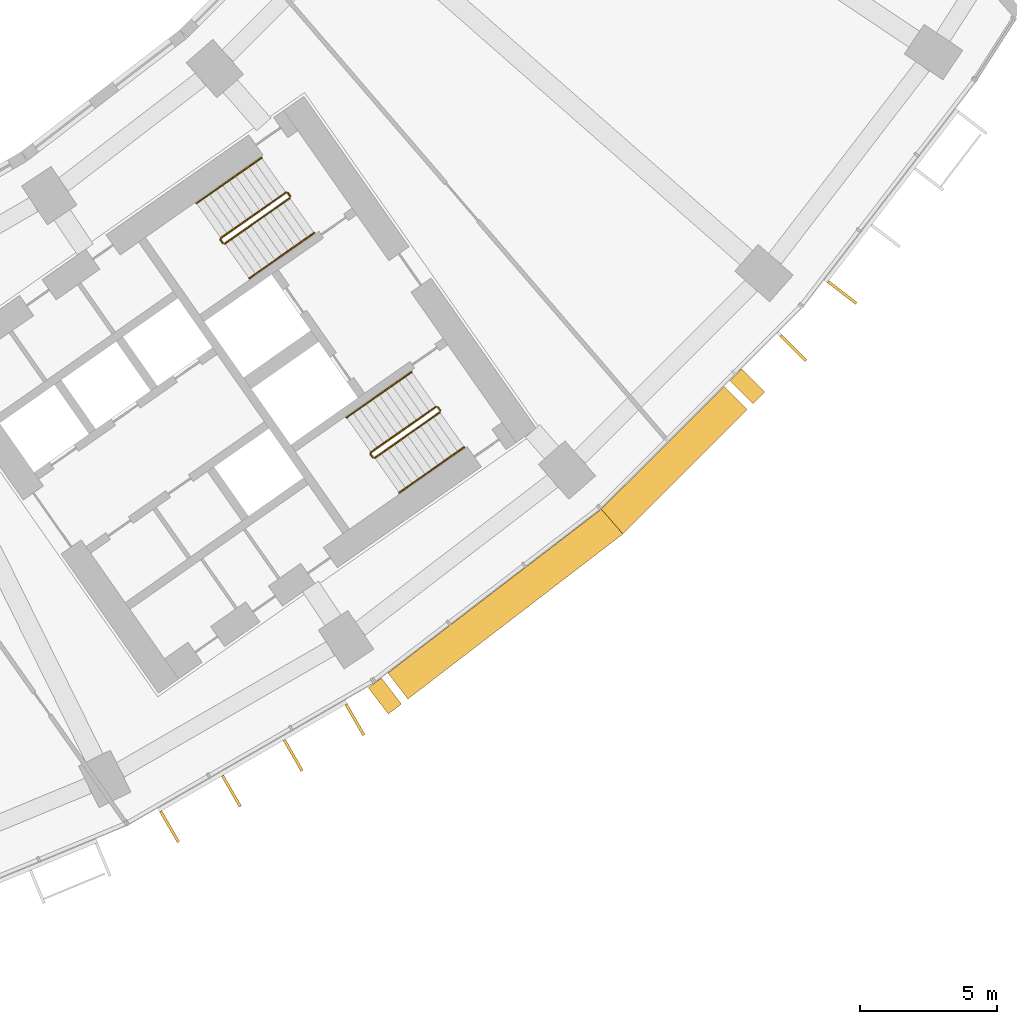
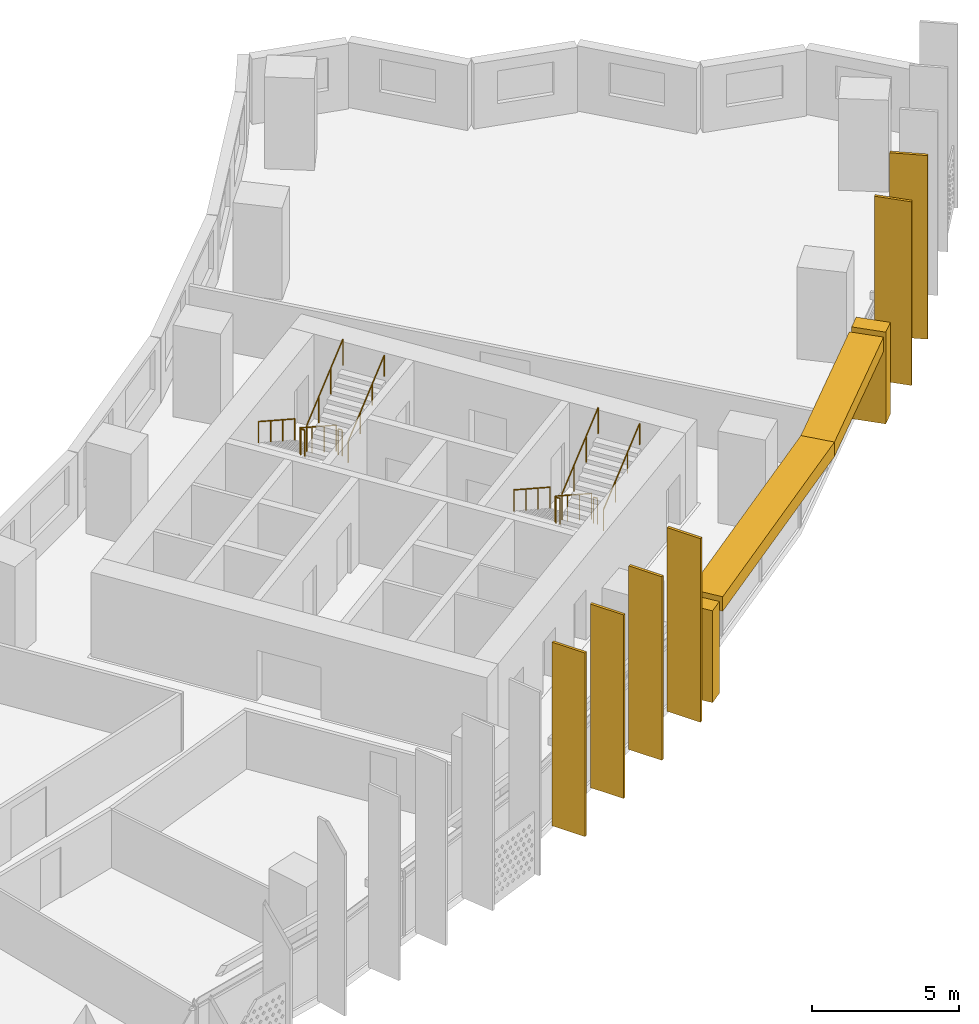
# One storey, part 31 of 32: 10 railings, 10 shading devices.
"""IFC4 building model written with IfcOpenShell, lengths in metres."""

from ifc_helpers import new_model, si_unit, direction, frame, origin, origin_2d, place, context, subcontext, project, spatial, polyline, rectangle, circle, outline, extrude, material, material_profile, profile_set, type_object, element, save


model = new_model("IFC4")

# Units and contexts
model_context = context("Model", 3, precision=1e-05, world=origin(), true_north=direction((0.0, 1.0)))
body_context = subcontext(model_context, "Body", "Model", "MODEL_VIEW")
ifc_project = project(units=[si_unit("LENGTHUNIT", "METRE"), si_unit("AREAUNIT", "SQUARE_METRE"), si_unit("VOLUMEUNIT", "CUBIC_METRE"), si_unit("PLANEANGLEUNIT", "RADIAN"), si_unit("MASSUNIT", "GRAM", prefix="KILO")], contexts=[model_context])

# Site, building, storey
site_placement = place(None, origin())
site = spatial("IfcSite", under=ifc_project, at=site_placement, CompositionType="ELEMENT")
building_placement = place(site_placement, origin())
building = spatial("IfcBuilding", under=site, at=building_placement, Name="Qamariyya Broadcast Tower", CompositionType="ELEMENT")
storey_placement = place(building_placement, frame((0.0, 0.0, 70.89990234375)))
storey = spatial("IfcBuildingStorey", under=building, at=storey_placement, Name="L14", CompositionType="ELEMENT", Elevation=70.89990234375)

# Shading devices
ifc_material_1 = material(Name="Steel S355 powder coated deep red", Category="steel")
shading_device_type_1 = type_object("IfcShadingDeviceType", Name="Deep red frame, powder coated steel box section", PredefinedType="USERDEFINED", material=ifc_material_1)
shading_device_1_placement = place(storey_placement, origin())
element("IfcShadingDevice", 1, at=shading_device_1_placement, inside=storey, type_object=shading_device_type_1, Name="e-frm-B1-F5-posta-L14", ObjectType="FRAME", PredefinedType="USERDEFINED", context=body_context, shape_type="SweptSolid", body=[
    extrude(outline(polyline([(44.01318359375, -66.4091796875), (44.74365234375, -67.361328125), (45.2197265625, -66.995849609375), (44.4892578125, -66.0439453125), (44.01318359375, -66.4091796875)])), origin(), (0.0, 0.0, 1.0), 3.800048828125),
])
shading_device_2_placement = place(storey_placement, origin())
element("IfcShadingDevice", 2, at=shading_device_2_placement, inside=storey, type_object=shading_device_type_1, Name="e-frm-B1-F5-postb-L14", ObjectType="FRAME", PredefinedType="USERDEFINED", context=body_context, shape_type="SweptSolid", body=[
    extrude(outline(polyline([(57.21630859375, -55.184814453125), (58.064697265625, -56.033203125), (58.489013671875, -55.60888671875), (57.640380859375, -54.760498046875), (57.21630859375, -55.184814453125)])), origin(), (0.0, 0.0, 1.0), 3.800048828125),
])
shading_device_3_placement = place(storey_placement, frame((0.0, 0.0, 3.2001953125)))
element("IfcShadingDevice", 3, at=shading_device_3_placement, inside=storey, type_object=shading_device_type_1, Name="e-frm-B1-F5-top0", ObjectType="FRAME", PredefinedType="USERDEFINED", context=body_context, shape_type="SweptSolid", body=[
    extrude(outline(polyline([(44.727294921875, -65.861328125), (45.457763671875, -66.813232421875), (53.309814453125, -60.7880859375), (52.516845703125, -59.884033203125), (44.727294921875, -65.861328125)])), origin(), (0.0, 0.0, 1.0), 0.599853515625),
])
shading_device_4_placement = place(storey_placement, frame((0.0, 0.0, 3.2001953125)))
element("IfcShadingDevice", 4, at=shading_device_4_placement, inside=storey, type_object=shading_device_type_1, Name="e-frm-B1-F5-top1", ObjectType="FRAME", PredefinedType="USERDEFINED", context=body_context, shape_type="SweptSolid", body=[
    extrude(outline(polyline([(52.516845703125, -59.884033203125), (53.309814453125, -60.7880859375), (57.8525390625, -56.245361328125), (57.004150390625, -55.39697265625), (52.516845703125, -59.884033203125)])), origin(), (0.0, 0.0, 1.0), 0.599853515625),
])

# Railings
ifc_material_2 = material(Name="Painted steel", Category="steel")
railing_type_1 = type_object("IfcRailingType", Name="Stair guard", PredefinedType="GUARDRAIL", material=ifc_material_2)
railing_1_placement = place(storey_placement, frame((41.003173828125, -48.320068359375, 0.1728515625)))
element("IfcRailing", 5, at=railing_1_placement, inside=storey, type_object=railing_type_1, Name="L14 ST-E2 stair guard 1", PredefinedType="GUARDRAIL", context=body_context, shape_type="SweptSolid", body=[
    extrude(circle(Radius=0.02392578125, at=origin_2d()), frame((0.0, 0.0, 1.076171875), z_axis=(-0.703770094002, -0.492783725636, 0.511734163933), x_axis=(0.573575343427, -0.819152809562, 0.0)), (0.0, 0.0, 1.0), 3.37548828125),
    extrude(circle(Radius=0.02392578125, at=origin_2d()), frame((-2.37548828125, -1.663330078125, 2.80322265625), z_axis=(-0.172799478008, -0.984957024646, 0.0), x_axis=(0.984957024646, -0.172799478008, 0.0)), (0.0, 0.0, 1.0), 0.070556640625),
    extrude(circle(Radius=0.02392578125, at=origin_2d()), frame((-2.3876953125, -1.73291015625, 2.80322265625), z_axis=(0.572588637393, -0.819842821722, 0.0), x_axis=(0.819842821722, 0.572588637393, 0.0)), (0.0, 0.0, 1.0), 0.150146484375),
    extrude(circle(Radius=0.02099609375, at=origin_2d()), origin(), (0.0, 0.0, 1.0), 1.052001953125),
    extrude(circle(Radius=0.02099609375, at=origin_2d()), frame((-0.791748046875, -0.554443359375, 0.57568359375)), (0.0, 0.0, 1.0), 1.052001953125),
    extrude(circle(Radius=0.02099609375, at=origin_2d()), frame((-1.583740234375, -1.10888671875, 1.151611328125)), (0.0, 0.0, 1.0), 1.052001953125),
    extrude(circle(Radius=0.02099609375, at=origin_2d()), frame((-2.37548828125, -1.663330078125, 1.727294921875)), (0.0, 0.0, 1.0), 1.052001953125),
    extrude(circle(Radius=0.02099609375, at=origin_2d()), frame((-2.3876953125, -1.73291015625, 1.727294921875)), (0.0, 0.0, 1.0), 1.052001953125),
    extrude(circle(Radius=0.02099609375, at=origin_2d()), frame((-2.3017578125, -1.85595703125, 1.727294921875)), (0.0, 0.0, 1.0), 1.052001953125),
])
railing_2_placement = place(storey_placement, frame((38.771240234375, -50.188232421875, 2.07275390625)))
element("IfcRailing", 6, at=railing_2_placement, inside=storey, type_object=railing_type_1, Name="L14 ST-E2 stair guard 2", PredefinedType="GUARDRAIL", context=body_context, shape_type="SweptSolid", body=[
    extrude(circle(Radius=0.02392578125, at=origin_2d()), frame((0.0, 0.0, 1.076171875), z_axis=(0.703770094002, 0.492783725636, 0.511734163933), x_axis=(-0.573575343427, 0.819152809562, 0.0)), (0.0, 0.0, 1.0), 3.37548828125),
    extrude(circle(Radius=0.02099609375, at=origin_2d()), origin(), (0.0, 0.0, 1.0), 1.052001953125),
    extrude(circle(Radius=0.02099609375, at=origin_2d()), frame((0.791748046875, 0.554443359375, 0.57568359375)), (0.0, 0.0, 1.0), 1.052001953125),
    extrude(circle(Radius=0.02099609375, at=origin_2d()), frame((1.583740234375, 1.10888671875, 1.151611328125)), (0.0, 0.0, 1.0), 1.052001953125),
    extrude(circle(Radius=0.02099609375, at=origin_2d()), frame((2.37548828125, 1.663330078125, 1.727294921875)), (0.0, 0.0, 1.0), 1.052001953125),
])
railing_3_placement = place(storey_placement, frame((41.072998046875, -48.332275390625, 0.0)))
element("IfcRailing", 7, at=railing_3_placement, inside=storey, type_object=railing_type_1, Name="L14 ST-E2 stair guard 3", PredefinedType="GUARDRAIL", context=body_context, shape_type="SweptSolid", body=[
    extrude(circle(Radius=0.02392578125, at=origin_2d()), frame((0.0, 0.0, 1.076171875), z_axis=(0.572588637393, -0.819842821722, 0.0), x_axis=(0.819842821722, 0.572588637393, 0.0)), (0.0, 0.0, 1.0), 0.150146484375),
    extrude(circle(Radius=0.02099609375, at=origin_2d()), origin(), (0.0, 0.0, 1.0), 1.052001953125),
    extrude(circle(Radius=0.02099609375, at=origin_2d()), frame((0.0859375, -0.123046875, 0.0)), (0.0, 0.0, 1.0), 1.052001953125),
])
railing_4_placement = place(storey_placement, frame((46.48095703125, -56.14306640625, 0.1728515625)))
element("IfcRailing", 8, at=railing_4_placement, inside=storey, type_object=railing_type_1, Name="L14 ST-E1 stair guard 1", PredefinedType="GUARDRAIL", context=body_context, shape_type="SweptSolid", body=[
    extrude(circle(Radius=0.02392578125, at=origin_2d()), frame((0.0, 0.0, 1.076171875), z_axis=(-0.703770094002, -0.492783725636, 0.511734163933), x_axis=(0.573575343427, -0.819152809562, 0.0)), (0.0, 0.0, 1.0), 3.37548828125),
    extrude(circle(Radius=0.02392578125, at=origin_2d()), frame((-2.37548828125, -1.663330078125, 2.80322265625), z_axis=(-0.176149252506, -0.984363469884, 0.0), x_axis=(0.984363469884, -0.176149252506, 0.0)), (0.0, 0.0, 1.0), 0.07080078125),
    extrude(circle(Radius=0.02392578125, at=origin_2d()), frame((-2.387939453125, -1.73291015625, 2.80322265625), z_axis=(0.574444878118, -0.818543268254, 0.0), x_axis=(0.818543268254, 0.574444878118, 0.0)), (0.0, 0.0, 1.0), 0.150146484375),
    extrude(circle(Radius=0.02099609375, at=origin_2d()), origin(), (0.0, 0.0, 1.0), 1.052001953125),
    extrude(circle(Radius=0.02099609375, at=origin_2d()), frame((-0.791748046875, -0.554443359375, 0.57568359375)), (0.0, 0.0, 1.0), 1.052001953125),
    extrude(circle(Radius=0.02099609375, at=origin_2d()), frame((-1.583740234375, -1.10888671875, 1.151611328125)), (0.0, 0.0, 1.0), 1.052001953125),
    extrude(circle(Radius=0.02099609375, at=origin_2d()), frame((-2.37548828125, -1.663330078125, 1.727294921875)), (0.0, 0.0, 1.0), 1.052001953125),
    extrude(circle(Radius=0.02099609375, at=origin_2d()), frame((-2.387939453125, -1.73291015625, 1.727294921875)), (0.0, 0.0, 1.0), 1.052001953125),
    extrude(circle(Radius=0.02099609375, at=origin_2d()), frame((-2.3017578125, -1.855712890625, 1.727294921875)), (0.0, 0.0, 1.0), 1.052001953125),
])
railing_5_placement = place(storey_placement, frame((44.248779296875, -58.01123046875, 2.07275390625)))
element("IfcRailing", 9, at=railing_5_placement, inside=storey, type_object=railing_type_1, Name="L14 ST-E1 stair guard 2", PredefinedType="GUARDRAIL", context=body_context, shape_type="SweptSolid", body=[
    extrude(circle(Radius=0.02392578125, at=origin_2d()), frame((0.0, 0.0, 1.076171875), z_axis=(0.703745009021, 0.492838488332, 0.511715923826), x_axis=(-0.573631830683, 0.819113253969, 0.0)), (0.0, 0.0, 1.0), 3.37548828125),
    extrude(circle(Radius=0.02099609375, at=origin_2d()), origin(), (0.0, 0.0, 1.0), 1.052001953125),
    extrude(circle(Radius=0.02099609375, at=origin_2d()), frame((0.791748046875, 0.554443359375, 0.57568359375)), (0.0, 0.0, 1.0), 1.052001953125),
    extrude(circle(Radius=0.02099609375, at=origin_2d()), frame((1.583740234375, 1.109130859375, 1.151611328125)), (0.0, 0.0, 1.0), 1.052001953125),
    extrude(circle(Radius=0.02099609375, at=origin_2d()), frame((2.37548828125, 1.66357421875, 1.727294921875)), (0.0, 0.0, 1.0), 1.052001953125),
])
railing_6_placement = place(storey_placement, frame((46.550537109375, -56.1552734375, 0.0)))
element("IfcRailing", 10, at=railing_6_placement, inside=storey, type_object=railing_type_1, Name="L14 ST-E1 stair guard 3", PredefinedType="GUARDRAIL", context=body_context, shape_type="SweptSolid", body=[
    extrude(circle(Radius=0.02392578125, at=origin_2d()), frame((0.0, 0.0, 1.076171875), z_axis=(0.574444878118, -0.818543268254, 0.0), x_axis=(0.818543268254, 0.574444878118, 0.0)), (0.0, 0.0, 1.0), 0.150146484375),
    extrude(circle(Radius=0.02099609375, at=origin_2d()), origin(), (0.0, 0.0, 1.0), 1.052001953125),
    extrude(circle(Radius=0.02099609375, at=origin_2d()), frame((0.086181640625, -0.122802734375, 0.0)), (0.0, 0.0, 1.0), 1.052001953125),
])
ifc_material_3 = material(Name="Stainless steel", Category="steel")
railing_type_2 = type_object("IfcRailingType", Name="Stair handrail", PredefinedType="HANDRAIL", material=ifc_material_3)
railing_7_placement = place(storey_placement, frame((40.1142578125, -47.05029296875, 0.1728515625)))
element("IfcRailing", 11, at=railing_7_placement, inside=storey, type_object=railing_type_2, Name="L14 ST-E2 stair handrail 1", PredefinedType="HANDRAIL", context=body_context, shape_type="SweptSolid", body=[
    extrude(circle(Radius=0.02392578125, at=origin_2d()), frame((0.0, 0.0, 0.8759765625), z_axis=(-0.703745009021, -0.492838488332, 0.511715923826), x_axis=(0.573631830683, -0.819113253969, 0.0)), (0.0, 0.0, 1.0), 3.37548828125),
    extrude(circle(Radius=0.02099609375, at=origin_2d()), origin(), (0.0, 0.0, 1.0), 0.851806640625),
    extrude(circle(Radius=0.02099609375, at=origin_2d()), frame((-0.791748046875, -0.554443359375, 0.57568359375)), (0.0, 0.0, 1.0), 0.851806640625),
    extrude(circle(Radius=0.02099609375, at=origin_2d()), frame((-1.583740234375, -1.109130859375, 1.151611328125)), (0.0, 0.0, 1.0), 0.851806640625),
    extrude(circle(Radius=0.02099609375, at=origin_2d()), frame((-2.37548828125, -1.66357421875, 1.727294921875)), (0.0, 0.0, 1.0), 0.851806640625),
])
railing_8_placement = place(storey_placement, frame((39.66015625, -51.4580078125, 2.07275390625)))
element("IfcRailing", 12, at=railing_8_placement, inside=storey, type_object=railing_type_2, Name="L14 ST-E2 stair handrail 2", PredefinedType="HANDRAIL", context=body_context, shape_type="SweptSolid", body=[
    extrude(circle(Radius=0.02392578125, at=origin_2d()), frame((0.0, 0.0, 0.8759765625), z_axis=(0.703745009021, 0.492838488332, 0.511715923826), x_axis=(-0.573631830683, 0.819113253969, 0.0)), (0.0, 0.0, 1.0), 3.37548828125),
    extrude(circle(Radius=0.02099609375, at=origin_2d()), origin(), (0.0, 0.0, 1.0), 0.851806640625),
    extrude(circle(Radius=0.02099609375, at=origin_2d()), frame((0.791748046875, 0.554443359375, 0.57568359375)), (0.0, 0.0, 1.0), 0.851806640625),
    extrude(circle(Radius=0.02099609375, at=origin_2d()), frame((1.583740234375, 1.109130859375, 1.151611328125)), (0.0, 0.0, 1.0), 0.851806640625),
    extrude(circle(Radius=0.02099609375, at=origin_2d()), frame((2.37548828125, 1.66357421875, 1.727294921875)), (0.0, 0.0, 1.0), 0.851806640625),
])
railing_9_placement = place(storey_placement, frame((45.591796875, -54.873291015625, 0.1728515625)))
element("IfcRailing", 13, at=railing_9_placement, inside=storey, type_object=railing_type_2, Name="L14 ST-E1 stair handrail 1", PredefinedType="HANDRAIL", context=body_context, shape_type="SweptSolid", body=[
    extrude(circle(Radius=0.02392578125, at=origin_2d()), frame((0.0, 0.0, 0.8759765625), z_axis=(-0.703770094002, -0.492783725636, 0.511734163933), x_axis=(0.573575343427, -0.819152809562, 0.0)), (0.0, 0.0, 1.0), 3.37548828125),
    extrude(circle(Radius=0.02099609375, at=origin_2d()), origin(), (0.0, 0.0, 1.0), 0.851806640625),
    extrude(circle(Radius=0.02099609375, at=origin_2d()), frame((-0.791748046875, -0.554443359375, 0.57568359375)), (0.0, 0.0, 1.0), 0.851806640625),
    extrude(circle(Radius=0.02099609375, at=origin_2d()), frame((-1.583740234375, -1.10888671875, 1.151611328125)), (0.0, 0.0, 1.0), 0.851806640625),
    extrude(circle(Radius=0.02099609375, at=origin_2d()), frame((-2.37548828125, -1.663330078125, 1.727294921875)), (0.0, 0.0, 1.0), 0.851806640625),
])
railing_10_placement = place(storey_placement, frame((45.137939453125, -59.28076171875, 2.07275390625)))
element("IfcRailing", 14, at=railing_10_placement, inside=storey, type_object=railing_type_2, Name="L14 ST-E1 stair handrail 2", PredefinedType="HANDRAIL", context=body_context, shape_type="SweptSolid", body=[
    extrude(circle(Radius=0.02392578125, at=origin_2d()), frame((0.0, 0.0, 0.8759765625), z_axis=(0.703770094002, 0.492783725636, 0.511734163933), x_axis=(-0.573575343427, 0.819152809562, 0.0)), (0.0, 0.0, 1.0), 3.37548828125),
    extrude(circle(Radius=0.02099609375, at=origin_2d()), origin(), (0.0, 0.0, 1.0), 0.851806640625),
    extrude(circle(Radius=0.02099609375, at=origin_2d()), frame((0.791748046875, 0.554443359375, 0.57568359375)), (0.0, 0.0, 1.0), 0.851806640625),
    extrude(circle(Radius=0.02099609375, at=origin_2d()), frame((1.583740234375, 1.10888671875, 1.151611328125)), (0.0, 0.0, 1.0), 0.851806640625),
    extrude(circle(Radius=0.02099609375, at=origin_2d()), frame((2.37548828125, 1.663330078125, 1.727294921875)), (0.0, 0.0, 1.0), 0.851806640625),
])

# Shading devices
ifc_material_4 = material(Name="Glazed terracotta", Category="masonry")
ifc_material_profile = material_profile(ifc_material_4, rectangle(XDim=1.300048828125, YDim=0.10009765625, at=origin_2d()))
ifc_profile_set = profile_set([ifc_material_profile], Name="Glazed terracotta")
shading_device_type_2 = type_object("IfcShadingDeviceType", Name="Terracotta fin 100 x 1300", PredefinedType="USERDEFINED", material=ifc_profile_set)
for number, where, z_axis, x_axis, name in (
    (15, (36.756103515625, -71.4775390625, 0.0), (0.0, 0.0, 1.0), (0.5, -0.866025403784, 0.0), "e-fin-L14-12-0"),
    (16, (39.011962890625, -70.17529296875, 0.0), (0.0, 0.0, 1.0), (0.5, -0.866025403784, 0.0), "e-fin-L14-12-1"),
    (17, (41.267578125, -68.872802734375, 0.0), (0.0, 0.0, 1.0), (0.5, -0.866025403784, 0.0), "e-fin-L14-12-2"),
    (18, (43.523193359375, -67.570556640625, 0.0), (0.0, 0.0, 1.0), (0.5, -0.866025403784, 0.0), "e-fin-L14-12-3"),
    (19, (59.52880859375, -54.00341796875, 0.0), (0.0, 0.0, 1.0), (0.707106781187, -0.707106781187, 0.0), "e-fin-L14-14-3"),
    (20, (61.3115234375, -51.970703125, 0.0), (0.0, 0.0, 1.0), (0.793353340291, -0.608761429009, 0.0), "e-fin-L14-15-0"),
):
    element("IfcShadingDevice", number, at=place(storey_placement, frame(where, z_axis=z_axis, x_axis=x_axis)), inside=storey, type_object=shading_device_type_2, Name=name, ObjectType="FIN", PredefinedType="USERDEFINED", context=body_context, shape_type="SweptSolid", body=[
        extrude(rectangle(XDim=1.300048828125, YDim=0.10009765625, at=origin_2d()), origin(), (0.0, 0.0, 1.0), 7.60009765625),
    ])

save(model, "model.ifc")
